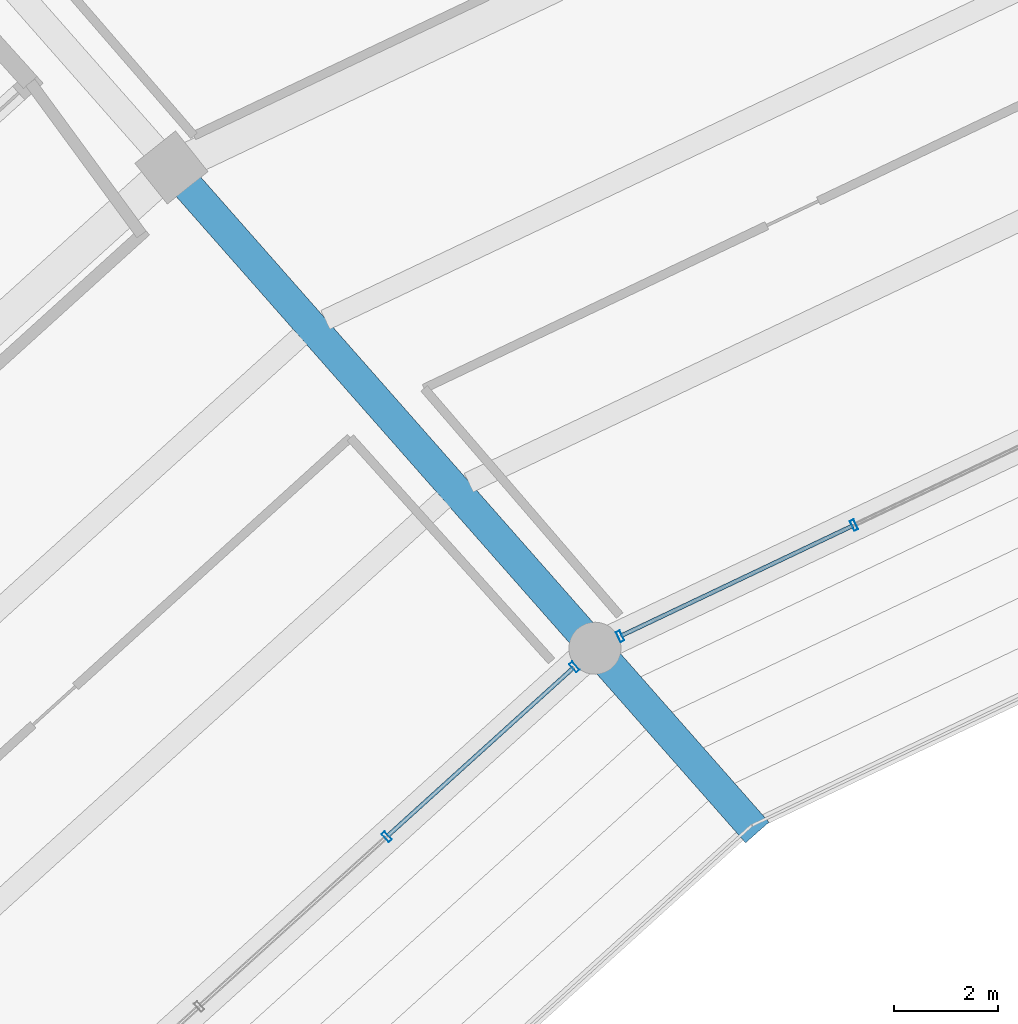
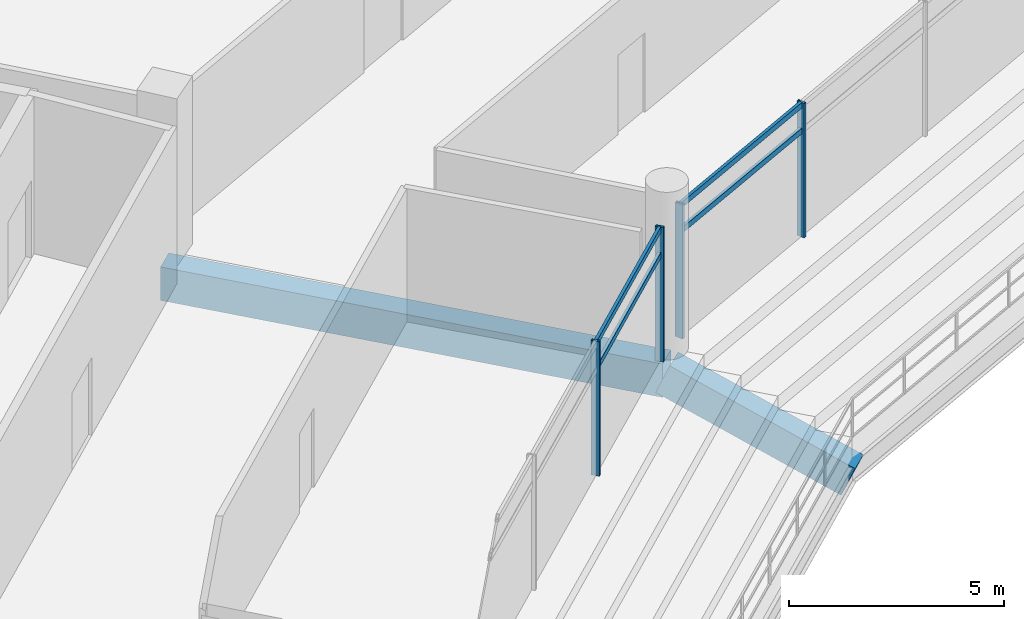
# One storey, part 81 of 171: 8 members, 2 beams, 2 elements without a shape of their own.
"""IFC4 building model written with IfcOpenShell, lengths in metres."""

from ifc_helpers import new_model, si_unit, direction, frame, origin, origin_2d, place, context, subcontext, project, spatial, rectangle, hollow_rectangle, extrude, material, layer, layer_set, material_profile, profile_set, type_object, element, aggregate, save


model = new_model("IFC4")

# Units and contexts
model_context = context("Model", 3, precision=1e-05, world=origin(), true_north=direction((0.0, 1.0)))
body_context = subcontext(model_context, "Body", "Model", "MODEL_VIEW")
ifc_project = project(units=[si_unit("LENGTHUNIT", "METRE"), si_unit("AREAUNIT", "SQUARE_METRE"), si_unit("VOLUMEUNIT", "CUBIC_METRE"), si_unit("PLANEANGLEUNIT", "RADIAN"), si_unit("MASSUNIT", "GRAM", prefix="KILO")], contexts=[model_context])

# Site, building, storey
site_placement = place(None, origin())
site = spatial("IfcSite", under=ifc_project, at=site_placement, CompositionType="ELEMENT")
building_placement = place(site_placement, origin())
building = spatial("IfcBuilding", under=site, at=building_placement, Name="Kazemori Nagisa Stadium", CompositionType="ELEMENT")
storey_placement = place(building_placement, frame((0.0, 0.0, 15.639892578125)))
storey = spatial("IfcBuildingStorey", under=building, at=storey_placement, Name="L03", CompositionType="ELEMENT", Elevation=15.639892578125)

# Beams
ifc_material_1 = material(Name="Concrete C40/50 (Fc42)", Category="concrete")
ifc_material_profile_1 = material_profile(ifc_material_1, rectangle(XDim=0.60009765625, YDim=0.949951171875, at=origin_2d()), Name="RC-BM-600x950")
ifc_profile_set_1 = profile_set([ifc_material_profile_1], Name="Concrete C40/50 (Fc42)")
beam_type_1 = type_object("IfcBeamType", Name="Beam_BG-RC600X950", PredefinedType="BEAM", material=ifc_profile_set_1)
beam_1_placement = place(storey_placement, frame((77.303466796875, 153.873046875, -0.73486328125), z_axis=(-0.66101406015, 0.75037351518, 0.0), x_axis=(-0.75037351518, -0.66101406015, 0.0)))
element("IfcBeam", 1, at=beam_1_placement, inside=storey, type_object=beam_type_1, Name="Radial girder BG-RC600X950 L03 R1-R2-11", PredefinedType="BEAM", context=body_context, shape_type="SweptSolid", body=[
    extrude(rectangle(XDim=0.60009765625, YDim=0.949951171875, at=origin_2d()), origin(), (0.0, 0.0, 1.0), 12.31103515625),
])
ifc_material_profile_2 = material_profile(ifc_material_1, rectangle(XDim=0.60009765625, YDim=0.89990234375, at=origin_2d()), Name="RC-RK-600x900")
ifc_profile_set_2 = profile_set([ifc_material_profile_2], Name="Concrete C40/50 (Fc42)")
beam_type_2 = type_object("IfcBeamType", Name="Beam_RK-RC600X900", PredefinedType="USERDEFINED", material=ifc_profile_set_2)
beam_2_placement = place(storey_placement, frame((80.30810546875, 150.462158203125, -2.58984375), z_axis=(-0.609877562505, 0.692337647336, 0.385639651533), x_axis=(-0.750379926375, -0.661006782184, 0.0)))
element("IfcBeam", 2, at=beam_2_placement, inside=storey, type_object=beam_type_2, Name="Raker beam club RK2-11", ObjectType="RAKER BEAM", PredefinedType="USERDEFINED", context=body_context, shape_type="SweptSolid", body=[
    extrude(rectangle(XDim=0.60009765625, YDim=0.89990234375, at=origin_2d()), origin(), (0.0, 0.0, 1.0), 4.926513671875),
])

# Curtain wall, members
ifc_material_2 = material(Name="Anodised aluminium 6063-T5", Category="aluminium")
ifc_layer_1 = layer(ifc_material_2, 0.2099609375, Name="Anodised aluminium 6063-T5", Category="aluminium")
ifc_layer_set_1 = layer_set([ifc_layer_1], Name="Anodised aluminium 6063-T5")
curtain_wall_type_1 = type_object("IfcCurtainWallType", Name="CW_L03B_75", PredefinedType="USERDEFINED", material=ifc_layer_set_1)
curtain_wall_1_placement = place(storey_placement, origin())
curtain_wall_1 = element("IfcCurtainWall", 3, at=curtain_wall_1_placement, inside=storey, type_object=curtain_wall_type_1, Name="Unitised curtain wall CW-L03B-75 L03", ObjectType="UNITISED CURTAIN WALL", PredefinedType="USERDEFINED")
ifc_material_3 = material(Name="Aluminium 6063-T5 anodised", Category="aluminium")
ifc_material_profile_3 = material_profile(ifc_material_3, hollow_rectangle(XDim=0.080078125, YDim=0.2099609375, WallThickness=0.0048828125, at=origin_2d()), Name="ALU-MULL-80x210x5")
ifc_profile_set_3 = profile_set([ifc_material_profile_3], Name="Aluminium 6063-T5 anodised")
member_type_1 = type_object("IfcMemberType", Name="Mullion_M02", PredefinedType="MULLION", material=ifc_profile_set_3)
member_1_placement = place(storey_placement, frame((82.281005859375, 156.23828125, 0.0), z_axis=(0.0, 0.0, 1.0), x_axis=(-0.903215892654, -0.429186499388, 0.0)))
member_1 = element("IfcMember", 4, at=member_1_placement, type_object=member_type_1, Name="Curtain wall mullion CW-L03B-75-M3", PredefinedType="MULLION", context=body_context, shape_type="SweptSolid", body=[
    extrude(hollow_rectangle(XDim=0.080078125, YDim=0.2099609375, WallThickness=0.0048828125, at=origin_2d()), origin(), (0.0, 0.0, 1.0), 3.81005859375),
])
member_2_placement = place(storey_placement, frame((77.78662109375, 154.102783203125, 0.0), z_axis=(0.0, 0.0, 1.0), x_axis=(-0.903215892654, -0.429186499388, 0.0)))
member_2 = element("IfcMember", 5, at=member_2_placement, type_object=member_type_1, Name="Curtain wall mullion CW-L03B-75-M4", PredefinedType="MULLION", context=body_context, shape_type="SweptSolid", body=[
    extrude(hollow_rectangle(XDim=0.080078125, YDim=0.2099609375, WallThickness=0.0048828125, at=origin_2d()), origin(), (0.0, 0.0, 1.0), 3.81005859375),
])

ifc_layer_2 = layer(ifc_material_2, 0.2099609375, Name="Anodised aluminium 6063-T5", Category="aluminium")
ifc_layer_set_2 = layer_set([ifc_layer_2], Name="Anodised aluminium 6063-T5")
curtain_wall_type_2 = type_object("IfcCurtainWallType", Name="CW_L03B_73", PredefinedType="USERDEFINED", material=ifc_layer_set_2)
curtain_wall_2_placement = place(storey_placement, origin())
curtain_wall_2 = element("IfcCurtainWall", 6, at=curtain_wall_2_placement, inside=storey, type_object=curtain_wall_type_2, Name="Unitised curtain wall CW-L03B-73 L03", ObjectType="UNITISED CURTAIN WALL", PredefinedType="USERDEFINED")
member_3_placement = place(storey_placement, frame((76.90673828125, 153.513916015625, 0.0), z_axis=(0.0, 0.0, 1.0), x_axis=(-0.741350875443, -0.671117634607, 0.0)))
member_3 = element("IfcMember", 7, at=member_3_placement, type_object=member_type_1, Name="Curtain wall mullion CW-L03B-73-M1", PredefinedType="MULLION", context=body_context, shape_type="SweptSolid", body=[
    extrude(hollow_rectangle(XDim=0.080078125, YDim=0.2099609375, WallThickness=0.0048828125, at=origin_2d()), origin(), (0.0, 0.0, 1.0), 3.81005859375),
])
member_4_placement = place(storey_placement, frame((73.302978515625, 150.25146484375, 0.0), z_axis=(0.0, 0.0, 1.0), x_axis=(-0.741350875443, -0.671117634607, 0.0)))
member_4 = element("IfcMember", 8, at=member_4_placement, type_object=member_type_1, Name="Curtain wall mullion CW-L03B-73-M2", PredefinedType="MULLION", context=body_context, shape_type="SweptSolid", body=[
    extrude(hollow_rectangle(XDim=0.080078125, YDim=0.2099609375, WallThickness=0.0048828125, at=origin_2d()), origin(), (0.0, 0.0, 1.0), 3.81005859375),
])

# Member
ifc_material_profile_4 = material_profile(ifc_material_3, hollow_rectangle(XDim=0.080078125, YDim=0.159912109375, WallThickness=0.00390625, at=origin_2d()), Name="ALU-TRAN-80x160x4")
ifc_profile_set_4 = profile_set([ifc_material_profile_4], Name="Aluminium 6063-T5 anodised")
member_type_2 = type_object("IfcMemberType", Name="Transom_T02", PredefinedType="USERDEFINED", material=ifc_profile_set_4)
member_5_placement = place(storey_placement, frame((82.262939453125, 156.229736328125, 3.010009765625), z_axis=(-0.903219509173, -0.429178888401, 0.0), x_axis=(0.429178888401, -0.903219509173, 0.0)))
member_5 = element("IfcMember", 9, at=member_5_placement, type_object=member_type_2, Name="Curtain wall transom CW-L03B-75-T3-mid", ObjectType="TRANSOM", PredefinedType="USERDEFINED", context=body_context, shape_type="SweptSolid", body=[
    extrude(hollow_rectangle(XDim=0.080078125, YDim=0.159912109375, WallThickness=0.00390625, at=origin_2d()), origin(), (0.0, 0.0, 1.0), 4.93603515625),
])

member_6_placement = place(storey_placement, frame((82.262939453125, 156.229736328125, 3.739990234375), z_axis=(-0.903219509173, -0.429178888401, 0.0), x_axis=(0.429178888401, -0.903219509173, 0.0)))
member_6 = element("IfcMember", 10, at=member_6_placement, type_object=member_type_2, Name="Curtain wall transom CW-L03B-75-T3-head", ObjectType="TRANSOM", PredefinedType="USERDEFINED", context=body_context, shape_type="SweptSolid", body=[
    extrude(hollow_rectangle(XDim=0.080078125, YDim=0.159912109375, WallThickness=0.00390625, at=origin_2d()), origin(), (0.0, 0.0, 1.0), 4.93603515625),
])

aggregate(curtain_wall_1, [member_1, member_2, member_5, member_6])

member_7_placement = place(storey_placement, frame((76.89208984375, 153.50048828125, 3.010009765625), z_axis=(-0.741375007746, -0.671090975866, 0.0), x_axis=(0.671090975866, -0.741375007746, 0.0)))
member_7 = element("IfcMember", 11, at=member_7_placement, type_object=member_type_2, Name="Curtain wall transom CW-L03B-73-T1-mid", ObjectType="TRANSOM", PredefinedType="USERDEFINED", context=body_context, shape_type="SweptSolid", body=[
    extrude(hollow_rectangle(XDim=0.080078125, YDim=0.159912109375, WallThickness=0.00390625, at=origin_2d()), origin(), (0.0, 0.0, 1.0), 4.8212890625),
])

member_8_placement = place(storey_placement, frame((76.89208984375, 153.50048828125, 3.739990234375), z_axis=(-0.741375007746, -0.671090975866, 0.0), x_axis=(0.671090975866, -0.741375007746, 0.0)))
member_8 = element("IfcMember", 12, at=member_8_placement, type_object=member_type_2, Name="Curtain wall transom CW-L03B-73-T1-head", ObjectType="TRANSOM", PredefinedType="USERDEFINED", context=body_context, shape_type="SweptSolid", body=[
    extrude(hollow_rectangle(XDim=0.080078125, YDim=0.159912109375, WallThickness=0.00390625, at=origin_2d()), origin(), (0.0, 0.0, 1.0), 4.8212890625),
])

aggregate(curtain_wall_2, [member_3, member_4, member_7, member_8])

save(model, "model.ifc")
